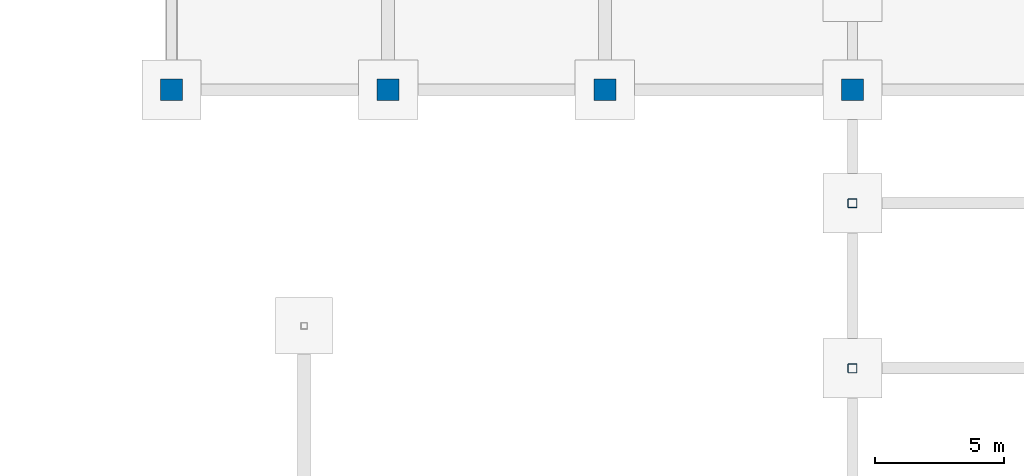
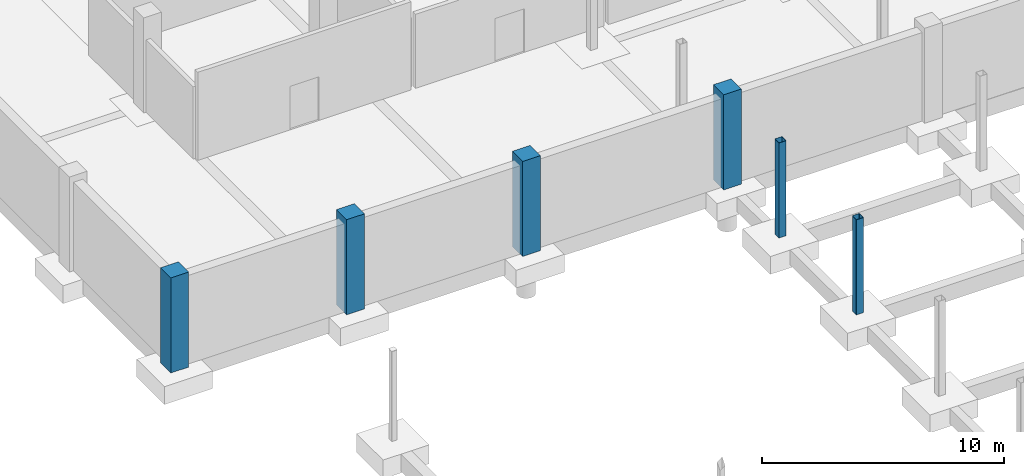
# One storey, part 17 of 44: 6 columns.
"""IFC4 building model written with IfcOpenShell, lengths in metres."""

from ifc_helpers import new_model, si_unit, direction, frame, origin, origin_2d, place, context, subcontext, project, spatial, rectangle, hollow_rectangle, extrude, material, material_profile, profile_set, type_object, element, save


model = new_model("IFC4")

# Units and contexts
model_context = context("Model", 3, precision=1e-05, world=origin(), true_north=direction((0.0, 1.0)))
body_context = subcontext(model_context, "Body", "Model", "MODEL_VIEW")
ifc_project = project(units=[si_unit("LENGTHUNIT", "METRE"), si_unit("AREAUNIT", "SQUARE_METRE"), si_unit("VOLUMEUNIT", "CUBIC_METRE"), si_unit("PLANEANGLEUNIT", "RADIAN"), si_unit("MASSUNIT", "GRAM", prefix="KILO")], contexts=[model_context])

# Site, building, storey
site_placement = place(None, origin())
site = spatial("IfcSite", under=ifc_project, at=site_placement, CompositionType="ELEMENT")
building_placement = place(site_placement, origin())
building = spatial("IfcBuilding", under=site, at=building_placement, Name="Kisaragi Civic Commons", CompositionType="ELEMENT")
storey_placement = place(building_placement, frame((0.0, 0.0, -4.800048828125)))
storey = spatial("IfcBuildingStorey", under=building, at=storey_placement, Name="B1", CompositionType="ELEMENT", Elevation=-4.800048828125)

# Columns
ifc_material_1 = material(Name="Concrete Fc36", Category="concrete")
ifc_material_profile_1 = material_profile(ifc_material_1, rectangle(XDim=0.85009765625, YDim=0.85009765625, at=origin_2d()), Name="RC-850x850", Category="concrete")
ifc_profile_set_1 = profile_set([ifc_material_profile_1], Name="Concrete Fc36")
column_type_1 = type_object("IfcColumnType", Name="C-05", PredefinedType="COLUMN", material=ifc_profile_set_1)
for number, where, z_axis, x_axis, name in (
    (1, (97.199951171875, 62.39990234375, 0.0), (0.0, 0.0, 1.0), (1.0, 0.0, 0.0), "B1 column C-05 (97.2,62.4)"),
    (2, (105.60009765625, 62.39990234375, 0.0), (0.0, 0.0, 1.0), (1.0, 0.0, 0.0), "B1 column C-05 (105.6,62.4)"),
    (3, (114.0, 62.39990234375, 0.0), (0.0, 0.0, 1.0), (1.0, 0.0, 0.0), "B1 column C-05 (114.0,62.4)"),
    (4, (123.60009765625, 62.39990234375, 0.0), (0.0, 0.0, 1.0), (1.0, 0.0, 0.0), "B1 column C-05 (123.6,62.4)"),
):
    element("IfcColumn", number, at=place(storey_placement, frame(where, z_axis=z_axis, x_axis=x_axis)), inside=storey, type_object=column_type_1, Name=name, PredefinedType="COLUMN", context=body_context, shape_type="SweptSolid", body=[
        extrude(rectangle(XDim=0.85009765625, YDim=0.85009765625, at=origin_2d()), origin(), (0.0, 0.0, 1.0), 4.800048828125),
    ])
ifc_material_2 = material(Name="Steel BCR295", Category="steel")
ifc_material_profile_2 = material_profile(ifc_material_2, hollow_rectangle(XDim=0.35009765625, YDim=0.35009765625, WallThickness=0.011962890625, InnerFilletRadius=0.011962890625, OuterFilletRadius=0.02392578125, at=origin_2d()), Name="BCR-350x350x12", Category="steel")
ifc_profile_set_2 = profile_set([ifc_material_profile_2], Name="Steel BCR295")
column_type_2 = type_object("IfcColumnType", Name="C-13", PredefinedType="COLUMN", material=ifc_profile_set_2)
for number, where, z_axis, x_axis, name in (
    (5, (123.60009765625, 51.60009765625, 0.0), (0.0, 0.0, 1.0), (1.0, 0.0, 0.0), "B1 column C-13 (123.6,51.6)"),
    (6, (123.60009765625, 58.0, 0.0), (0.0, 0.0, 1.0), (1.0, 0.0, 0.0), "B1 column C-13 (123.6,58.0)"),
):
    element("IfcColumn", number, at=place(storey_placement, frame(where, z_axis=z_axis, x_axis=x_axis)), inside=storey, type_object=column_type_2, Name=name, PredefinedType="COLUMN", context=body_context, shape_type="SweptSolid", body=[
        extrude(hollow_rectangle(XDim=0.35009765625, YDim=0.35009765625, WallThickness=0.011962890625, InnerFilletRadius=0.011962890625, OuterFilletRadius=0.02392578125, at=origin_2d()), origin(), (0.0, 0.0, 1.0), 4.800048828125),
    ])

save(model, "model.ifc")
